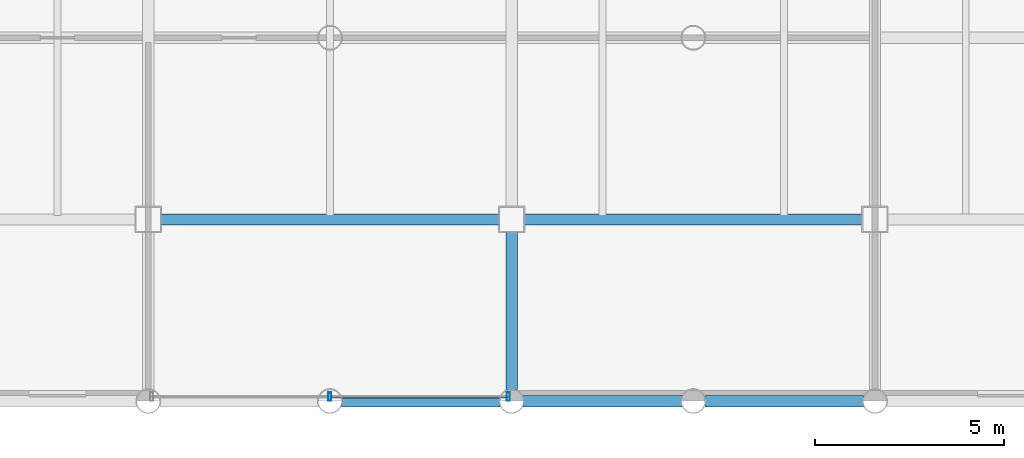
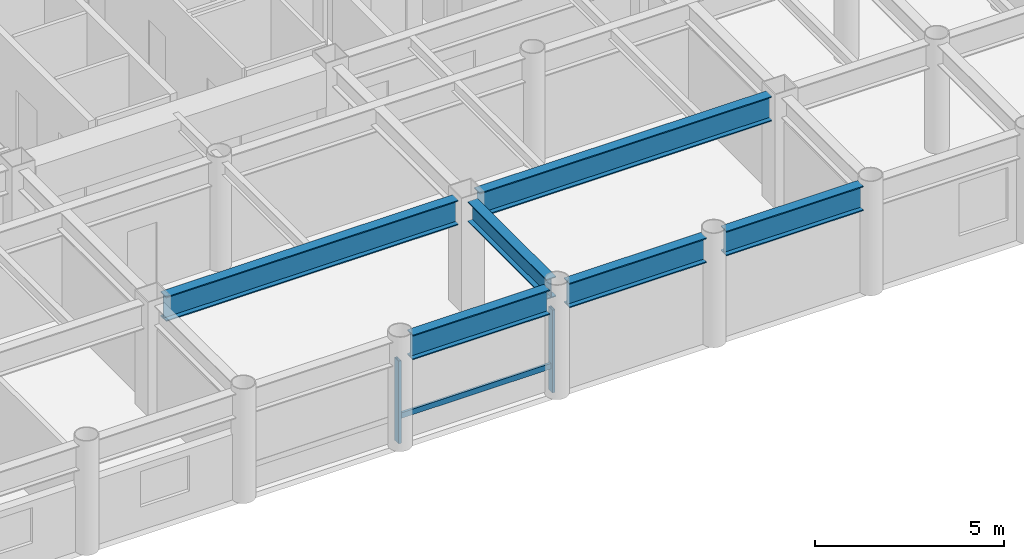
# One storey, part 6 of 19: 6 beams, 3 members, 1 element without a shape of its own.
"""IFC4 building model written with IfcOpenShell, lengths in metres."""

from ifc_helpers import new_model, si_unit, direction, frame, origin, origin_2d, place, context, subcontext, project, spatial, hollow_rectangle, i_section, extrude, material, layer, layer_set, material_profile, profile_set, type_object, element, aggregate, save


model = new_model("IFC4")

# Units and contexts
model_context = context("Model", 3, precision=1e-05, world=origin(), true_north=direction((0.0, 1.0)))
body_context = subcontext(model_context, "Body", "Model", "MODEL_VIEW")
ifc_project = project(units=[si_unit("LENGTHUNIT", "METRE"), si_unit("AREAUNIT", "SQUARE_METRE"), si_unit("VOLUMEUNIT", "CUBIC_METRE"), si_unit("PLANEANGLEUNIT", "RADIAN"), si_unit("MASSUNIT", "GRAM", prefix="KILO")], contexts=[model_context])

# Site, building, storey
site_placement = place(None, origin())
site = spatial("IfcSite", under=ifc_project, at=site_placement, CompositionType="ELEMENT")
building_placement = place(site_placement, origin())
building = spatial("IfcBuilding", under=site, at=building_placement, Name="Kallvorn Hotel Tower", CompositionType="ELEMENT")
storey_placement = place(building_placement, frame((0.0, 0.0, 147.0)))
storey = spatial("IfcBuildingStorey", under=building, at=storey_placement, Name="L36", CompositionType="ELEMENT", Elevation=147.0)

# Beams
ifc_material_1 = material(Name="Structural steel S355JR", Category="steel")
ifc_material_profile_1 = material_profile(ifc_material_1, i_section(OverallWidth=0.300048828125, OverallDepth=0.64990234375, WebThickness=0.01611328125, FlangeThickness=0.031005859375, at=origin_2d()), Name="HE 650 B")
ifc_profile_set_1 = profile_set([ifc_material_profile_1], Name="Structural steel S355JR")
beam_type_1 = type_object("IfcBeamType", Name="BM_HE650B", PredefinedType="BEAM", material=ifc_profile_set_1)
beam_1_placement = place(storey_placement, frame((4.800048828125, -18.89501953125, 3.195068359375), z_axis=(0.0, 1.0, 0.0), x_axis=(-1.0, 0.0, 0.0)))
element("IfcBeam", 1, at=beam_1_placement, inside=storey, type_object=beam_type_1, Name="L37 Primary Y-Girder 114", PredefinedType="BEAM", context=body_context, shape_type="SweptSolid", body=[
    extrude(i_section(OverallWidth=0.300048828125, OverallDepth=0.64990234375, WebThickness=0.01611328125, FlangeThickness=0.031005859375, at=origin_2d()), origin(), (0.0, 0.0, 1.0), 4.169921875),
])
ifc_material_2 = material(Name="Structural steel S355JR", Category="steel")
ifc_material_profile_2 = material_profile(ifc_material_2, i_section(OverallWidth=0.300048828125, OverallDepth=0.800048828125, WebThickness=0.017578125, FlangeThickness=0.032958984375, at=origin_2d()), Name="HE 800 B")
ifc_profile_set_2 = profile_set([ifc_material_profile_2], Name="Structural steel S355JR")
beam_type_2 = type_object("IfcBeamType", Name="BM_HE800B", PredefinedType="BEAM", material=ifc_profile_set_2)
beam_2_placement = place(storey_placement, frame((0.304931640625, -19.199951171875, 3.1201171875), z_axis=(1.0, 0.0, 0.0), x_axis=(0.0, 1.0, 0.0)))
element("IfcBeam", 2, at=beam_2_placement, inside=storey, type_object=beam_type_2, Name="L37 Primary X-Girder 07", PredefinedType="BEAM", context=body_context, shape_type="SweptSolid", body=[
    extrude(i_section(OverallWidth=0.300048828125, OverallDepth=0.800048828125, WebThickness=0.017578125, FlangeThickness=0.032958984375, at=origin_2d()), origin(), (0.0, 0.0, 1.0), 4.190185546875),
])
for number, where, z_axis, x_axis, name in (
    (3, (5.10498046875, -19.199951171875, 3.1201171875), (1.0, 0.0, 0.0), (0.0, 1.0, 0.0), "L37 Primary X-Girder 08"),
    (4, (9.905029296875, -19.199951171875, 3.1201171875), (1.0, 0.0, 0.0), (0.0, 1.0, 0.0), "L37 Primary X-Girder 09"),
):
    element("IfcBeam", number, at=place(storey_placement, frame(where, z_axis=z_axis, x_axis=x_axis)), inside=storey, type_object=beam_type_2, Name=name, PredefinedType="BEAM", context=body_context, shape_type="SweptSolid", body=[
        extrude(i_section(OverallWidth=0.300048828125, OverallDepth=0.800048828125, WebThickness=0.017578125, FlangeThickness=0.032958984375, at=origin_2d()), origin(), (0.0, 0.0, 1.0), 4.18994140625),
    ])
beam_3_placement = place(storey_placement, frame((-4.47509765625, -14.39990234375, 3.1201171875), z_axis=(1.0, 0.0, 0.0), x_axis=(0.0, 1.0, 0.0)))
element("IfcBeam", 5, at=beam_3_placement, inside=storey, type_object=beam_type_2, Name="L37 Primary X-Girder 18", PredefinedType="BEAM", context=body_context, shape_type="SweptSolid", body=[
    extrude(i_section(OverallWidth=0.300048828125, OverallDepth=0.800048828125, WebThickness=0.017578125, FlangeThickness=0.032958984375, at=origin_2d()), origin(), (0.0, 0.0, 1.0), 8.9501953125),
])
beam_4_placement = place(storey_placement, frame((5.125, -14.39990234375, 3.1201171875), z_axis=(1.0, 0.0, 0.0), x_axis=(0.0, 1.0, 0.0)))
element("IfcBeam", 6, at=beam_4_placement, inside=storey, type_object=beam_type_2, Name="L37 Primary X-Girder 19", PredefinedType="BEAM", context=body_context, shape_type="SweptSolid", body=[
    extrude(i_section(OverallWidth=0.300048828125, OverallDepth=0.800048828125, WebThickness=0.017578125, FlangeThickness=0.032958984375, at=origin_2d()), origin(), (0.0, 0.0, 1.0), 8.949951171875),
])

# Curtain wall, members
ifc_material_3 = material(Name="Thermally broken black-anodised aluminium AA 6063-T6", Category="aluminium")
ifc_layer = layer(ifc_material_3, 0.2099609375)
ifc_layer_set = layer_set([ifc_layer], Name="CW_SYS_4_HOTEL_MID")
curtain_wall_type = type_object("IfcCurtainWallType", Name="CW_SYS_4_HOTEL_MID", PredefinedType="USERDEFINED", material=ifc_layer_set)
curtain_wall_placement = place(storey_placement, origin())
curtain_wall = element("IfcCurtainWall", 7, at=curtain_wall_placement, inside=storey, type_object=curtain_wall_type, Name="L36 Dark-Glass Curtain Wall CW-L36-SC", ObjectType="UNITISED CURTAIN WALL", PredefinedType="USERDEFINED")
ifc_material_4 = material(Name="Thermally broken black-anodised aluminium AA 6063-T6", Category="aluminium")
ifc_material_profile_3 = material_profile(ifc_material_4, hollow_rectangle(XDim=0.080078125, YDim=0.219970703125, WallThickness=0.0048828125, at=origin_2d()), Name="MUL 220x80")
ifc_profile_set_3 = profile_set([ifc_material_profile_3], Name="Thermally broken black-anodised aluminium AA 6063-T6")
member_type_1 = type_object("IfcMemberType", Name="CW_MULLION_220x80", PredefinedType="MULLION", material=ifc_profile_set_3)
member_1_placement = place(storey_placement, frame((0.0, -19.080078125, 0.02001953125), z_axis=(0.0, 0.0, 1.0), x_axis=(1.0, 0.0, 0.0)))
member_1 = element("IfcMember", 8, at=member_1_placement, type_object=member_type_1, Name="CW-L36-SC Mullion 01", PredefinedType="MULLION", context=body_context, shape_type="SweptSolid", body=[
    extrude(hollow_rectangle(XDim=0.080078125, YDim=0.219970703125, WallThickness=0.0048828125, at=origin_2d()), origin(), (0.0, 0.0, 1.0), 2.679931640625),
])
member_2_placement = place(storey_placement, frame((4.7099609375, -19.080078125, 0.02001953125), z_axis=(0.0, 0.0, 1.0), x_axis=(1.0, 0.0, 0.0)))
member_2 = element("IfcMember", 9, at=member_2_placement, type_object=member_type_1, Name="CW-L36-SC Mullion 02", PredefinedType="MULLION", context=body_context, shape_type="SweptSolid", body=[
    extrude(hollow_rectangle(XDim=0.080078125, YDim=0.219970703125, WallThickness=0.0048828125, at=origin_2d()), origin(), (0.0, 0.0, 1.0), 2.679931640625),
])
ifc_material_5 = material(Name="Thermally broken black-anodised aluminium AA 6063-T6", Category="aluminium")
ifc_material_profile_4 = material_profile(ifc_material_5, hollow_rectangle(XDim=0.070068359375, YDim=0.179931640625, WallThickness=0.00390625, at=origin_2d()), Name="TRN 180x70")
ifc_profile_set_4 = profile_set([ifc_material_profile_4], Name="Thermally broken black-anodised aluminium AA 6063-T6")
member_type_2 = type_object("IfcMemberType", Name="CW_TRANSOM_180x70", PredefinedType="USERDEFINED", material=ifc_profile_set_4)
member_3_placement = place(storey_placement, frame((0.0400390625, -19.080078125, 0.85009765625), z_axis=(1.0, 0.0, 0.0), x_axis=(0.0, 1.0, 0.0)))
member_3 = element("IfcMember", 10, at=member_3_placement, type_object=member_type_2, Name="CW-L36-SC Transom 01M", ObjectType="TRANSOM", PredefinedType="USERDEFINED", context=body_context, shape_type="SweptSolid", body=[
    extrude(hollow_rectangle(XDim=0.070068359375, YDim=0.179931640625, WallThickness=0.00390625, at=origin_2d()), origin(), (0.0, 0.0, 1.0), 4.669921875),
])
aggregate(curtain_wall, [member_1, member_2, member_3])

save(model, "model.ifc")
